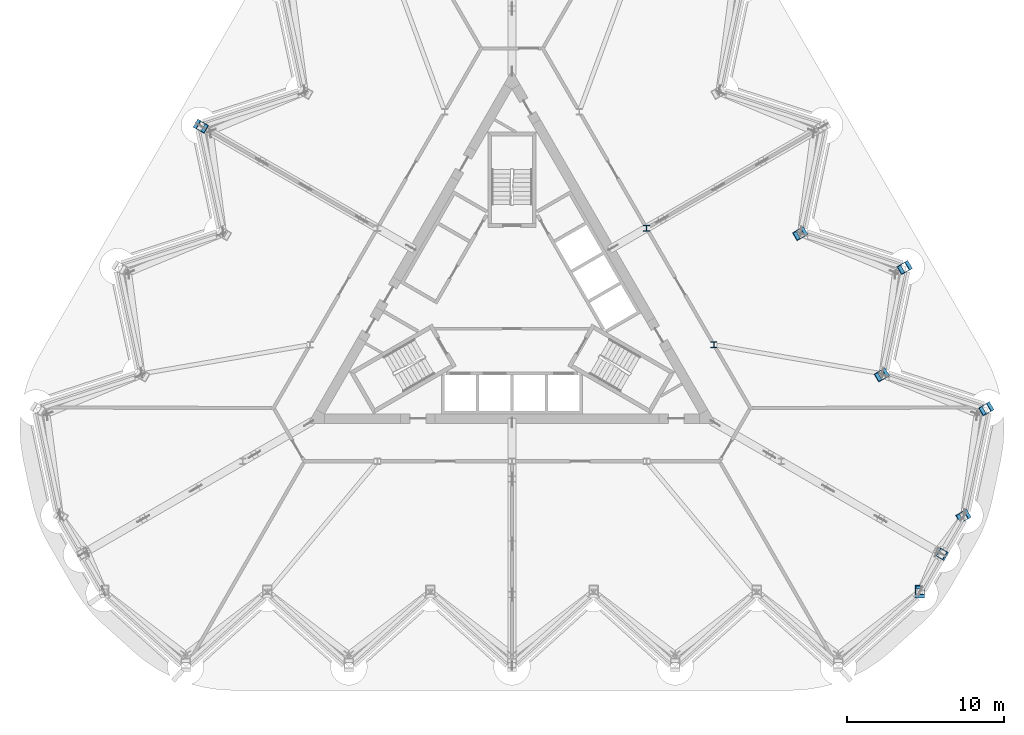
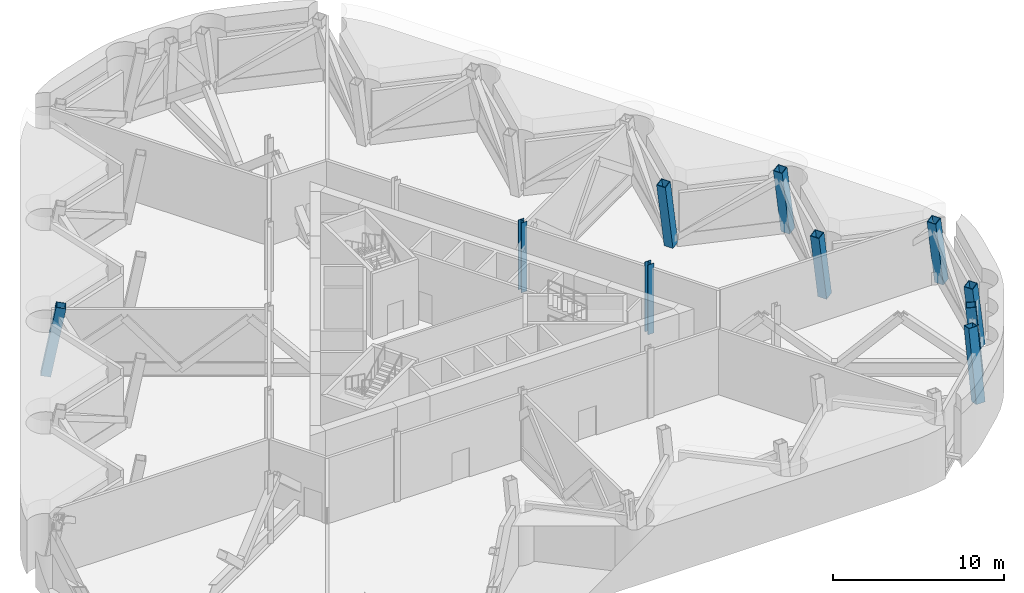
# One storey, part 2 of 16: 10 columns.
"""IFC4 building model written with IfcOpenShell, lengths in metres."""

from ifc_helpers import new_model, si_unit, direction, frame, origin, origin_2d, place, context, subcontext, project, spatial, hollow_rectangle, i_section, extrude, material, material_profile, profile_set, type_object, element, save


model = new_model("IFC4")

# Units and contexts
model_context = context("Model", 3, precision=1e-05, world=origin(), true_north=direction((0.0, 1.0)))
body_context = subcontext(model_context, "Body", "Model", "MODEL_VIEW")
ifc_project = project(units=[si_unit("LENGTHUNIT", "METRE"), si_unit("AREAUNIT", "SQUARE_METRE"), si_unit("VOLUMEUNIT", "CUBIC_METRE"), si_unit("PLANEANGLEUNIT", "RADIAN"), si_unit("MASSUNIT", "GRAM", prefix="KILO")], contexts=[model_context])

# Site, building, storey
site_placement = place(None, origin())
site = spatial("IfcSite", under=ifc_project, at=site_placement, CompositionType="ELEMENT")
building_placement = place(site_placement, origin())
building = spatial("IfcBuilding", under=site, at=building_placement, Name="Cormorant Prow Tower", CompositionType="ELEMENT")
storey_placement = place(building_placement, frame((0.0, 0.0, 356.0)))
storey = spatial("IfcBuildingStorey", under=building, at=storey_placement, Name="L79", CompositionType="ELEMENT", Elevation=356.0)

# Columns
ifc_material_1 = material(Name="Structural steel ASTM A572 Gr 50", Category="steel")
ifc_material_profile_1 = material_profile(ifc_material_1, hollow_rectangle(XDim=0.60009765625, YDim=0.60009765625, WallThickness=0.0400390625, at=origin_2d()), Name="Box 600x600x40")
ifc_profile_set_1 = profile_set([ifc_material_profile_1], Name="Structural steel ASTM A572 Gr 50")
column_type_1 = type_object("IfcColumnType", Name="Perimeter box column 600x600x40", PredefinedType="COLUMN", material=ifc_profile_set_1)
column_1_placement = place(storey_placement, frame((25.995361328125, -18.326904296875, 0.0), z_axis=(0.000912380025, 0.181179464991, 0.983449627092), x_axis=(-0.999987320698, 0.005035716696, 0.0)))
element("IfcColumn", 1, at=column_1_placement, inside=storey, type_object=column_type_1, Name="Perimeter column C6 at ESE00 L79", PredefinedType="COLUMN", context=body_context, shape_type="SweptSolid", body=[
    extrude(hollow_rectangle(XDim=0.60009765625, YDim=0.60009765625, WallThickness=0.0400390625, at=origin_2d()), frame((0.0, 0.0, 0.05517578125)), (0.0, 0.0, 1.0), 4.9736328125),
])
column_2_placement = place(storey_placement, frame((27.432373046875, -15.838134765625, 0.0), z_axis=(-0.07877370439, 0.045465070126, 0.995855225871), x_axis=(-0.499876722092, -0.86609656662, 0.0)))
element("IfcColumn", 2, at=column_2_placement, inside=storey, type_object=column_type_1, Name="Perimeter column C6 at ESE01 L79", PredefinedType="COLUMN", context=body_context, shape_type="SweptSolid", body=[
    extrude(hollow_rectangle(XDim=0.60009765625, YDim=0.60009765625, WallThickness=0.0400390625, at=origin_2d()), frame((0.0, 0.0, 0.02734375)), (0.0, 0.0, 1.0), 4.966064453125),
])
for number, where, z_axis, x_axis, name in (
    (3, (28.869140625, -13.349365234375, 0.0), (-0.156449835687, -0.091334434462, 0.983453847415), (0.504167657118, -0.863605797524, 0.0), "Perimeter column C6 at ENE00 L79"),
    (4, (30.32373046875, -6.506103515625, 0.0), (-0.15640573142, -0.091144635626, 0.983478470825), (0.503491620184, -0.86400010903, 0.0), "Perimeter column C6 at ENE01 L79"),
    (5, (23.670166015625, -4.34423828125, 0.0), (-0.156641321974, -0.091045967646, 0.98345011466), (0.502519108136, -0.864566102712, 0.0), "Perimeter column C6 at ENE02 L79"),
    (6, (25.124755859375, 2.4990234375, 0.0), (-0.156597898492, -0.09080853298, 0.983478982249), (0.50164265683, -0.865074935973, 0.0), "Perimeter column C6 at ENE03 L79"),
    (7, (18.470947265625, 4.660888671875, 0.0), (-0.156785948758, -0.090758175545, 0.983453669394), (0.500984025362, -0.865456530585, 0.0), "Perimeter column C6 at ENE04 L79"),
    (8, (-19.925537109375, 11.504150390625, 0.0), (0.156742519622, -0.090520725946, 0.98348247606), (0.500105201737, 0.865964657013, 0.0), "Perimeter column C6 at WNW05 L79"),
):
    element("IfcColumn", number, at=place(storey_placement, frame(where, z_axis=z_axis, x_axis=x_axis)), inside=storey, type_object=column_type_1, Name=name, PredefinedType="COLUMN", context=body_context, shape_type="SweptSolid", body=[
        extrude(hollow_rectangle(XDim=0.60009765625, YDim=0.60009765625, WallThickness=0.0400390625, at=origin_2d()), frame((0.0, 0.0, 0.05517578125)), (0.0, 0.0, 1.0), 4.9736328125),
    ])
ifc_material_2 = material(Name="Structural steel ASTM A992 Gr 50", Category="steel")
ifc_material_profile_2 = material_profile(ifc_material_2, i_section(OverallWidth=0.3955078125, OverallDepth=0.380615234375, WebThickness=0.018798828125, FlangeThickness=0.0302734375, at=origin_2d()), Name="W14x159")
ifc_profile_set_2 = profile_set([ifc_material_profile_2], Name="Structural steel ASTM A992 Gr 50")
column_type_2 = type_object("IfcColumnType", Name="Ring column W14x159", PredefinedType="COLUMN", material=ifc_profile_set_2)
for number, where, z_axis, x_axis, name in (
    (9, (12.86767578125, -2.476318359375, 0.0), (0.0, 0.0, 1.0), (1.0, 0.0, 0.0), "Ring column 10 L79"),
    (10, (8.578369140625, 4.952880859375, 0.0), (0.0, 0.0, 1.0), (1.0, 0.0, 0.0), "Ring column 11 L79"),
):
    element("IfcColumn", number, at=place(storey_placement, frame(where, z_axis=z_axis, x_axis=x_axis)), inside=storey, type_object=column_type_2, Name=name, PredefinedType="COLUMN", context=body_context, shape_type="SweptSolid", body=[
        extrude(i_section(OverallWidth=0.3955078125, OverallDepth=0.380615234375, WebThickness=0.018798828125, FlangeThickness=0.0302734375, at=origin_2d()), origin(), (0.0, 0.0, 1.0), 5.0),
    ])

save(model, "model.ifc")
